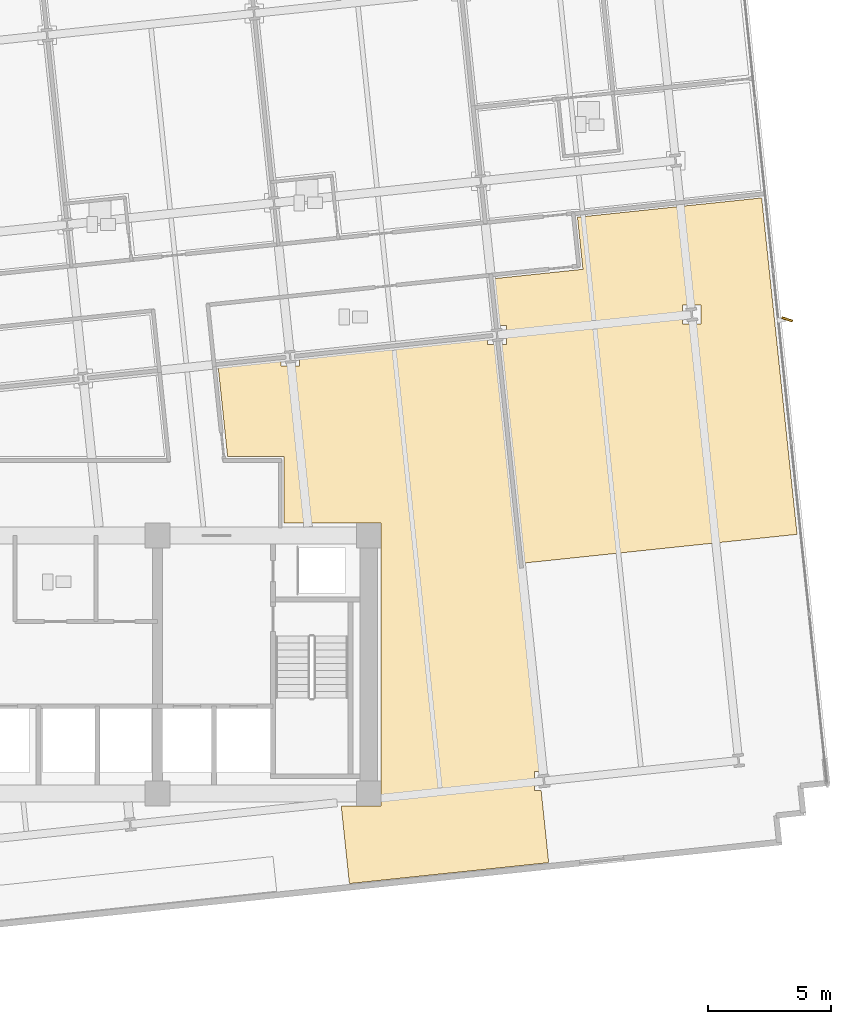
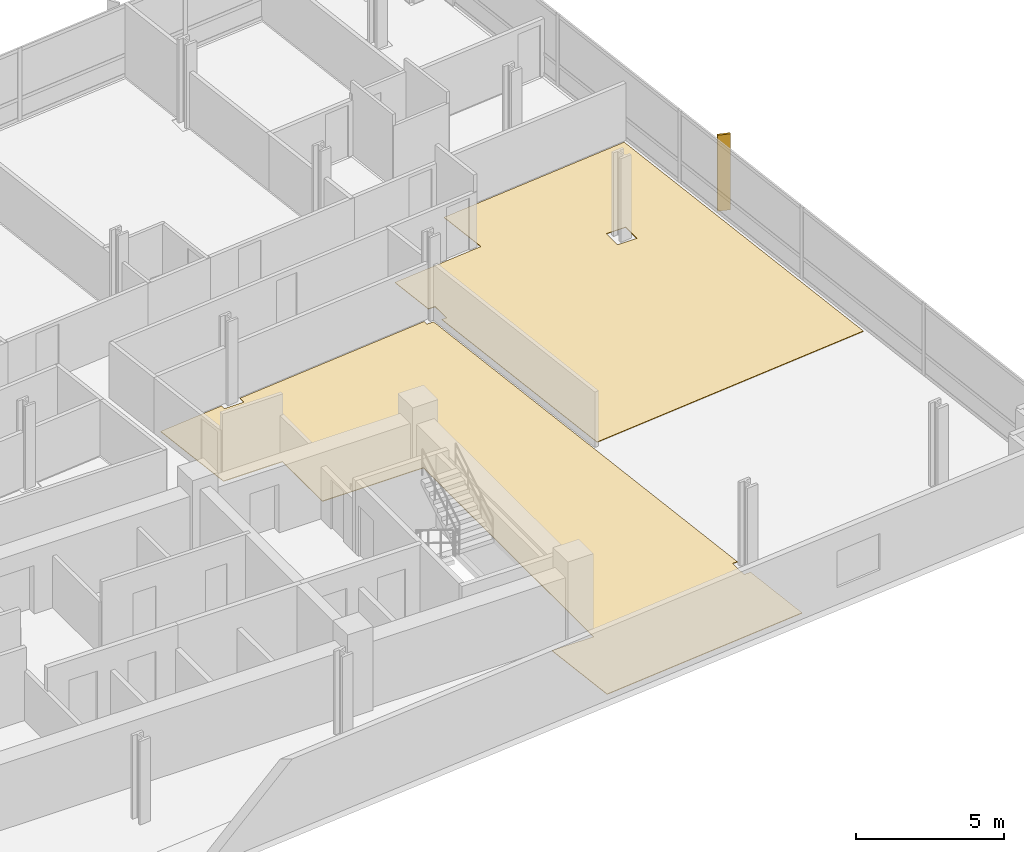
# One storey, part 16 of 18: 2 coverings, 1 shading device.
"""IFC4 building model written with IfcOpenShell, lengths in metres."""

from ifc_helpers import new_model, si_unit, direction, frame, origin, origin_2d, place, context, subcontext, project, spatial, polyline, rectangle, outline, extrude, material, layer, layer_set, type_object, element, save


model = new_model("IFC4")

# Units and contexts
model_context = context("Model", 3, precision=1e-05, world=origin(), true_north=direction((0.0, 1.0)))
body_context = subcontext(model_context, "Body", "Model", "MODEL_VIEW")
ifc_project = project(units=[si_unit("LENGTHUNIT", "METRE"), si_unit("AREAUNIT", "SQUARE_METRE"), si_unit("VOLUMEUNIT", "CUBIC_METRE"), si_unit("PLANEANGLEUNIT", "RADIAN"), si_unit("MASSUNIT", "GRAM", prefix="KILO")], contexts=[model_context])

# Site, building, storey
site_placement = place(None, origin())
site = spatial("IfcSite", under=ifc_project, at=site_placement, CompositionType="ELEMENT")
building_placement = place(site_placement, origin())
building = spatial("IfcBuilding", under=site, at=building_placement, Name="Solmavex Isthmus Hotel", CompositionType="ELEMENT")
storey_placement = place(building_placement, frame((0.0, 0.0, 127.050048828125)))
storey = spatial("IfcBuildingStorey", under=building, at=storey_placement, Name="L34", CompositionType="ELEMENT", Elevation=127.050048828125)

# Coverings
ifc_material_1 = material(Name="Travertine natural stone", Category="masonry")
ifc_layer = layer(ifc_material_1, 0.02490234375)
ifc_layer_set = layer_set([ifc_layer], Name="Travertine natural stone")
covering_type = type_object("IfcCoveringType", Name="COV-FLOR-STN", PredefinedType="FLOORING", material=ifc_layer_set)
covering_1_placement = place(storey_placement, origin())
element("IfcCovering", 1, at=covering_1_placement, inside=storey, type_object=covering_type, Name="Stone and Timber Floor Finish L34-FL12", PredefinedType="FLOORING", context=body_context, shape_type="SweptSolid", body=[
    extrude(outline(polyline([(21.335693359375, 6.038330078125), (21.599609375, 6.038330078125), (21.599609375, 5.2783203125), (21.41552734375, 5.2783203125), (21.93310546875, 0.353759765625), (22.3505859375, -3.619140625), (33.427734375, -2.455078125), (33.010009765625, 1.51806640625), (32.450927734375, 6.8388671875), (31.98828125, 11.239501953125), (24.49169921875, 10.45166015625), (24.71435546875, 8.333251953125), (21.134033203125, 7.95703125), (21.335693359375, 6.038330078125)]), holes=[polyline([(28.76416015625, 6.111328125), (28.76416015625, 6.871337890625), (29.524169921875, 6.871337890625), (29.524169921875, 6.111328125), (28.76416015625, 6.111328125)])]), origin(), (0.0, 0.0, 1.0), 0.02490234375),
])
covering_2_placement = place(storey_placement, origin())
element("IfcCovering", 2, at=covering_2_placement, inside=storey, type_object=covering_type, Name="Stone and Timber Floor Finish L34-FL13", PredefinedType="FLOORING", context=body_context, shape_type="SweptSolid", body=[
    extrude(outline(polyline([(13.18017578125, 4.657470703125), (13.18017578125, 4.393310546875), (12.420166015625, 4.393310546875), (12.420166015625, 4.57763671875), (9.87451171875, 4.31005859375), (10.25341796875, 0.705078125), (12.554931640625, 0.705078125), (12.554931640625, -1.9951171875), (16.5048828125, -1.9951171875), (16.5048828125, -13.5048828125), (14.877197265625, -13.5048828125), (15.044921875, -15.100830078125), (15.20947265625, -16.667236328125), (23.32080078125, -15.814697265625), (23.15625, -14.248291015625), (23.011474609375, -12.87158203125), (22.747314453125, -12.87158203125), (22.747314453125, -12.111572265625), (22.931640625, -12.111572265625), (21.103759765625, 5.2783203125), (20.83984375, 5.2783203125), (20.83984375, 5.462646484375), (13.18017578125, 4.657470703125)])), origin(), (0.0, 0.0, 1.0), 0.02490234375),
])

# Shading device
ifc_material_2 = material(Name="Aluminium alloy 6063-T6", Category="aluminium")
shading_device_type = type_object("IfcShadingDeviceType", Name="SHD-FIN-BRONZE", PredefinedType="USERDEFINED", material=ifc_material_2)
shading_device_placement = place(storey_placement, frame((33.02587890625, 6.2958984375, -0.14013671875), z_axis=(0.0, 0.0, 1.0), x_axis=(0.951056516295, -0.309016994375, 0.0)))
element("IfcShadingDevice", 3, at=shading_device_placement, inside=storey, type_object=shading_device_type, Name="Anodised Aluminium Solar Fin L34-E1", ObjectType="SOLAR_FIN", PredefinedType="USERDEFINED", context=body_context, shape_type="SweptSolid", body=[
    extrude(rectangle(XDim=0.449951171875, YDim=0.080078125, at=origin_2d()), origin(), (0.0, 0.0, 1.0), 3.139892578125),
])

save(model, "model.ifc")
